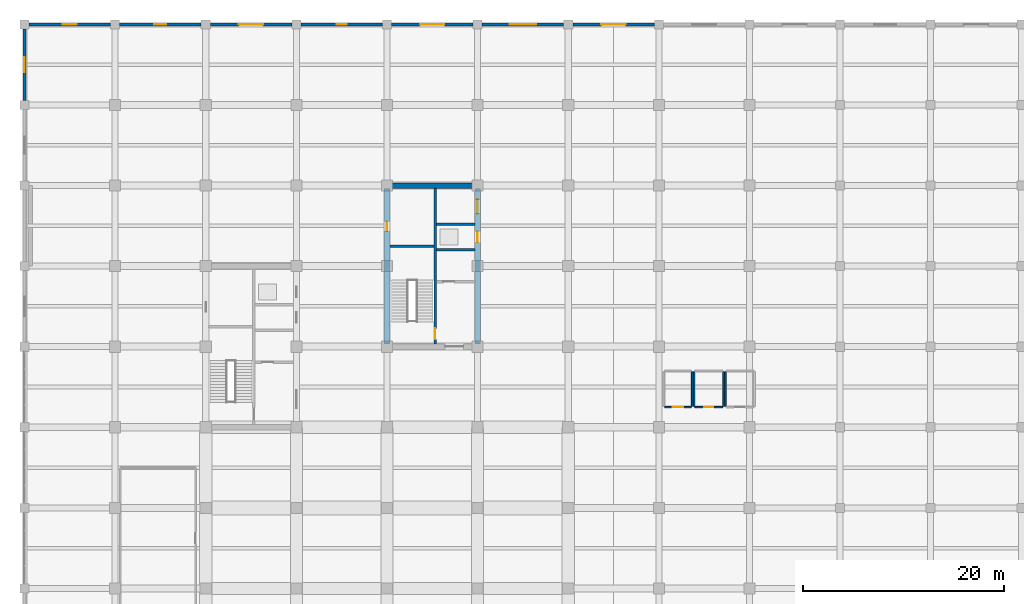
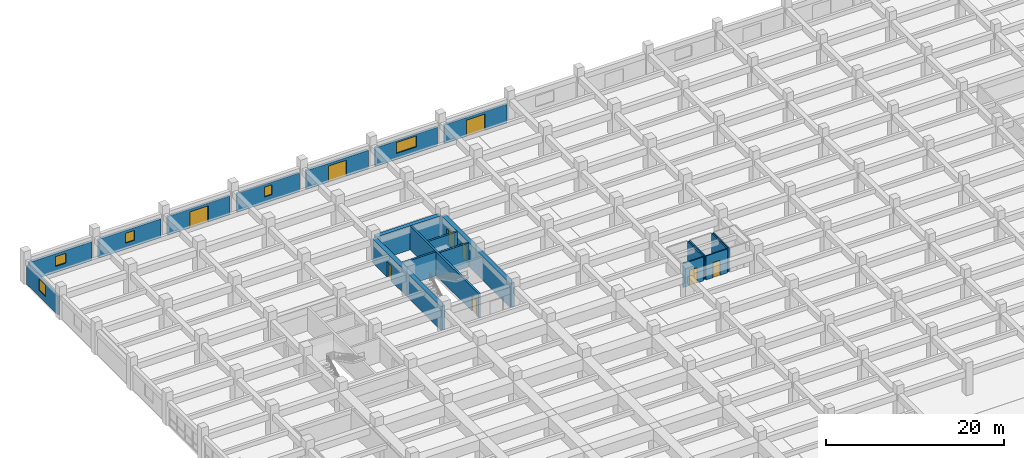
# One storey, part 25 of 40: 21 walls, 9 doors, 5 windows, 14 openings.
"""IFC4 building model written with IfcOpenShell, lengths in metres."""

from ifc_helpers import new_model, si_unit, direction, frame, frame_2d, origin, place, context, subcontext, project, spatial, rectangle, extrude, material, layer, layer_set, type_object, element, fill, save


model = new_model("IFC4")

# Units and contexts
model_context = context("Model", 3, precision=1e-05, world=origin(), true_north=direction((0.0, 1.0)))
body_context = subcontext(model_context, "Body", "Model", "MODEL_VIEW")
ifc_project = project(units=[si_unit("LENGTHUNIT", "METRE"), si_unit("AREAUNIT", "SQUARE_METRE"), si_unit("VOLUMEUNIT", "CUBIC_METRE"), si_unit("PLANEANGLEUNIT", "RADIAN"), si_unit("MASSUNIT", "GRAM", prefix="KILO")], contexts=[model_context])

# Site, building, storey
site_placement = place(None, origin())
site = spatial("IfcSite", under=ifc_project, at=site_placement, CompositionType="ELEMENT")
building_placement = place(site_placement, origin())
building = spatial("IfcBuilding", under=site, at=building_placement, Name="Zaverband Oceanarium and Marine Research Institute", CompositionType="ELEMENT")
storey_placement = place(building_placement, origin())
storey = spatial("IfcBuildingStorey", under=building, at=storey_placement, Name="L00", CompositionType="ELEMENT", Elevation=0.0)

# Wall
ifc_material_1 = material(Name="Concrete C50/60", Category="concrete")
ifc_layer_1 = layer(ifc_material_1, 0.550048828125, Name="Concrete C50/60")
ifc_layer_set_1 = layer_set([ifc_layer_1], Name="Concrete C50/60")
wall_type_1 = type_object("IfcWallType", Name="CW-01", PredefinedType="SHEAR", material=ifc_layer_set_1)
wall_1_placement = place(storey_placement, frame((36.27490234375, 104.0, 0.0), z_axis=(0.0, 0.0, 1.0), x_axis=(1.0, 0.0, 0.0)))
element("IfcWall", 1, at=wall_1_placement, inside=storey, type_object=wall_type_1, Name="Structural shear wall CW-01", PredefinedType="SHEAR", context=body_context, shape_type="SweptSolid", body=[
    extrude(rectangle(XDim=8.4501953125, YDim=0.550048828125, at=frame_2d((4.22509765625, 0.0))), origin(), (0.0, 0.0, 1.0), 3.300048828125),
])

# Wall, opening, door
wall_2_placement = place(storey_placement, frame((36.0, 88.27490234375, 0.0), z_axis=(0.0, 0.0, 1.0), x_axis=(0.0, 1.0, 0.0)))
wall_2 = element("IfcWall", 2, at=wall_2_placement, inside=storey, type_object=wall_type_1, Name="Structural shear wall CW-01", PredefinedType="SHEAR", context=body_context, shape_type="SweptSolid", body=[
    extrude(rectangle(XDim=15.4501953125, YDim=0.550048828125, at=frame_2d((7.72509765625, 0.0))), origin(), (0.0, 0.0, 1.0), 3.300048828125),
])
opening_1_placement = place(wall_2_placement, frame((11.199951171875, 0.0, 0.0)))
opening_1 = element("IfcOpeningElement", 3, at=opening_1_placement, cuts=wall_2, Name="Opening FD-03", PredefinedType="OPENING", context=body_context, shape_type="SweptSolid", body=[
    extrude(rectangle(XDim=0.949951171875, YDim=2.10009765625, at=frame_2d((0.47509765625, 1.050048828125))), frame((0.0, 0.287109375, 0.0), z_axis=(0.0, -1.0, 0.0), x_axis=(1.0, 0.0, 0.0)), (0.0, 0.0, 1.0), 0.573974609375),
])
ifc_material_2 = material(Name="Steel S355", Category="steel")
door_type_1 = type_object("IfcDoorType", Name="FD-03", OperationType="NOTDEFINED", PredefinedType="DOOR", material=ifc_material_2)
door_1_placement = place(opening_1_placement, origin())
door_1 = element("IfcDoor", 4, at=door_1_placement, inside=storey, type_object=door_type_1, Name="Service riser access fire door FD-03", OperationType="SINGLE_SWING_RIGHT", OverallHeight=2.10009765625, OverallWidth=0.949951171875, PredefinedType="DOOR", context=body_context, shape_type="SweptSolid", body=[
    extrude(rectangle(XDim=0.949951171875, YDim=2.10009765625, at=frame_2d((0.47509765625, 1.050048828125))), frame((0.0, 0.02490234375, 0.0), z_axis=(0.0, -1.0, 0.0), x_axis=(1.0, 0.0, 0.0)), (0.0, 0.0, 1.0), 0.050048828125),
])
fill(opening_1, door_1)

# Wall, openings, doors
wall_3_placement = place(storey_placement, frame((45.0, 88.27490234375, 0.0), z_axis=(0.0, 0.0, 1.0), x_axis=(0.0, 1.0, 0.0)))
wall_3 = element("IfcWall", 5, at=wall_3_placement, inside=storey, type_object=wall_type_1, Name="Structural shear wall CW-01", PredefinedType="SHEAR", context=body_context, shape_type="SweptSolid", body=[
    extrude(rectangle(XDim=15.4501953125, YDim=0.550048828125, at=frame_2d((7.72509765625, 0.0))), origin(), (0.0, 0.0, 1.0), 3.300048828125),
])
opening_2_placement = place(wall_3_placement, frame((10.10009765625, 0.0, 0.0)))
opening_2 = element("IfcOpeningElement", 6, at=opening_2_placement, cuts=wall_3, Name="Opening LD-02", PredefinedType="OPENING", context=body_context, shape_type="SweptSolid", body=[
    extrude(rectangle(XDim=1.050048828125, YDim=2.1201171875, at=frame_2d((0.52490234375, 1.06005859375))), frame((0.0, 0.287109375, 0.0), z_axis=(0.0, -1.0, 0.0), x_axis=(1.0, 0.0, 0.0)), (0.0, 0.0, 1.0), 0.573974609375),
])
opening_3_placement = place(wall_3_placement, frame((12.949951171875, 0.0, 0.0)))
opening_3 = element("IfcOpeningElement", 7, at=opening_3_placement, cuts=wall_3, Name="Opening LD-03", PredefinedType="OPENING", context=body_context, shape_type="SweptSolid", body=[
    extrude(rectangle(XDim=1.39990234375, YDim=2.199951171875, at=frame_2d((0.699951171875, 1.10009765625))), frame((0.0, 0.287109375, 0.0), z_axis=(0.0, -1.0, 0.0), x_axis=(1.0, 0.0, 0.0)), (0.0, 0.0, 1.0), 0.573974609375),
])
door_type_2 = type_object("IfcDoorType", Name="LD-02", OperationType="DOUBLE_DOOR_SLIDING", PredefinedType="DOOR", material=ifc_material_2)
door_2_placement = place(opening_2_placement, origin())
door_2 = element("IfcDoor", 8, at=door_2_placement, inside=storey, type_object=door_type_2, Name="Passenger lift sliding landing door LD-02", OperationType="DOUBLE_DOOR_SLIDING", OverallHeight=2.1201171875, OverallWidth=1.050048828125, PredefinedType="DOOR", context=body_context, shape_type="SweptSolid", body=[
    extrude(rectangle(XDim=1.050048828125, YDim=2.1201171875, at=frame_2d((0.52490234375, 1.06005859375))), frame((0.0, 0.02490234375, 0.0), z_axis=(0.0, -1.0, 0.0), x_axis=(1.0, 0.0, 0.0)), (0.0, 0.0, 1.0), 0.050048828125),
])
fill(opening_2, door_2)
door_type_3 = type_object("IfcDoorType", Name="LD-03", OperationType="DOUBLE_DOOR_SLIDING", PredefinedType="DOOR", material=ifc_material_2)
door_3_placement = place(opening_3_placement, origin())
door_3 = element("IfcDoor", 9, at=door_3_placement, inside=storey, type_object=door_type_3, Name="Specimen goods lift sliding landing door LD-03", OperationType="DOUBLE_DOOR_SLIDING", OverallHeight=2.199951171875, OverallWidth=1.39990234375, PredefinedType="DOOR", context=body_context, shape_type="SweptSolid", body=[
    extrude(rectangle(XDim=1.39990234375, YDim=2.199951171875, at=frame_2d((0.699951171875, 1.10009765625))), frame((0.0, 0.02490234375, 0.0), z_axis=(0.0, -1.0, 0.0), x_axis=(1.0, 0.0, 0.0)), (0.0, 0.0, 1.0), 0.050048828125),
])
fill(opening_3, door_3)

# Wall, opening, window
ifc_material_3 = material(Name="Concrete C40/50 precast", Category="concrete")
ifc_layer_2 = layer(ifc_material_3, 0.264892578125, Name="Concrete C40/50 precast")
ifc_layer_set_2 = layer_set([ifc_layer_2], Name="Concrete C40/50 precast")
wall_type_2 = type_object("IfcWallType", Name="EW-265", PredefinedType="STANDARD", material=ifc_layer_set_2)
wall_4_placement = place(storey_placement, frame((27.455078125, 120.0, 0.0), z_axis=(0.0, 0.0, 1.0), x_axis=(1.0, 0.0, 0.0)))
wall_4 = element("IfcWall", 10, at=wall_4_placement, inside=storey, type_object=wall_type_2, Name="Exterior infill wall EW-265", PredefinedType="STANDARD", context=body_context, shape_type="SweptSolid", body=[
    extrude(rectangle(XDim=8.08984375, YDim=0.264892578125, at=frame_2d((4.044921875, 0.0))), origin(), (0.0, 0.0, 1.0), 2.580078125),
])
opening_4_placement = place(wall_4_placement, frame((3.544921875, 0.0, 0.85009765625)))
opening_4 = element("IfcOpeningElement", 11, at=opening_4_placement, cuts=wall_4, Name="Opening WN-1000x1350", PredefinedType="OPENING", context=body_context, shape_type="SweptSolid", body=[
    extrude(rectangle(XDim=1.0, YDim=1.35009765625, at=frame_2d((0.5, 0.675048828125))), frame((0.0, 0.14453125, 0.0), z_axis=(0.0, -1.0, 0.0), x_axis=(1.0, 0.0, 0.0)), (0.0, 0.0, 1.0), 0.288818359375),
])
ifc_material_4 = material(Name="Thermally broken anodized aluminium and solar-control glass", Category="aluminium")
window_type_1 = type_object("IfcWindowType", Name="WN-1000x1350", PartitioningType="SINGLE_PANEL", PredefinedType="WINDOW", material=ifc_material_4)
window_1_placement = place(opening_4_placement, origin())
window_1 = element("IfcWindow", 12, at=window_1_placement, inside=storey, type_object=window_type_1, Name="Fixed / casement exterior window WN-1000x1350", OverallHeight=1.35009765625, OverallWidth=1.0, PartitioningType="SINGLE_PANEL", PredefinedType="WINDOW", context=body_context, shape_type="SweptSolid", body=[
    extrude(rectangle(XDim=1.0, YDim=1.35009765625, at=frame_2d((0.5, 0.675048828125))), frame((0.0, 0.030029296875, 0.0), z_axis=(0.0, -1.0, 0.0), x_axis=(1.0, 0.0, 0.0)), (0.0, 0.0, 1.0), 0.06005859375),
])
fill(opening_4, window_1)

wall_5_placement = place(storey_placement, frame((0.0, 112.455078125, 0.0), z_axis=(0.0, 0.0, 1.0), x_axis=(0.0, 1.0, 0.0)))
wall_5 = element("IfcWall", 13, at=wall_5_placement, inside=storey, type_object=wall_type_2, Name="Exterior infill wall EW-265", PredefinedType="STANDARD", context=body_context, shape_type="SweptSolid", body=[
    extrude(rectangle(XDim=7.08984375, YDim=0.264892578125, at=frame_2d((3.544921875, 0.0))), origin(), (0.0, 0.0, 1.0), 2.580078125),
])
opening_5_placement = place(wall_5_placement, frame((2.794921875, 0.0, 0.85009765625)))
opening_5 = element("IfcOpeningElement", 14, at=opening_5_placement, cuts=wall_5, Name="Opening WN-1500x1610", PredefinedType="OPENING", context=body_context, shape_type="SweptSolid", body=[
    extrude(rectangle(XDim=1.5, YDim=1.610107421875, at=frame_2d((0.75, 0.80517578125))), frame((0.0, 0.14453125, 0.0), z_axis=(0.0, -1.0, 0.0), x_axis=(1.0, 0.0, 0.0)), (0.0, 0.0, 1.0), 0.288818359375),
])
window_type_2 = type_object("IfcWindowType", Name="WN-1500x1610", PartitioningType="SINGLE_PANEL", PredefinedType="WINDOW", material=ifc_material_4)
window_2_placement = place(opening_5_placement, origin())
window_2 = element("IfcWindow", 15, at=window_2_placement, inside=storey, type_object=window_type_2, Name="Fixed / casement exterior window WN-1500x1610", OverallHeight=1.610107421875, OverallWidth=1.5, PartitioningType="SINGLE_PANEL", PredefinedType="WINDOW", context=body_context, shape_type="SweptSolid", body=[
    extrude(rectangle(XDim=1.5, YDim=1.610107421875, at=frame_2d((0.75, 0.80517578125))), frame((0.0, 0.030029296875, 0.0), z_axis=(0.0, -1.0, 0.0), x_axis=(1.0, 0.0, 0.0)), (0.0, 0.0, 1.0), 0.06005859375),
])
fill(opening_5, window_2)

# Wall, opening, door
ifc_layer_3 = layer(ifc_material_3, 0.2900390625, Name="Concrete C40/50 precast")
ifc_layer_set_3 = layer_set([ifc_layer_3], Name="Concrete C40/50 precast")
wall_type_3 = type_object("IfcWallType", Name="EW-290", PredefinedType="STANDARD", material=ifc_layer_set_3)
wall_6_placement = place(storey_placement, frame((18.455078125, 120.0, 0.0), z_axis=(0.0, 0.0, 1.0), x_axis=(1.0, 0.0, 0.0)))
wall_6 = element("IfcWall", 16, at=wall_6_placement, inside=storey, type_object=wall_type_3, Name="Exterior infill wall EW-290", PredefinedType="STANDARD", context=body_context, shape_type="SweptSolid", body=[
    extrude(rectangle(XDim=8.08984375, YDim=0.2900390625, at=frame_2d((4.044921875, 0.0))), origin(), (0.0, 0.0, 1.0), 2.580078125),
])
opening_6_placement = place(wall_6_placement, frame((2.844970703125, 0.0, 0.0)))
opening_6 = element("IfcOpeningElement", 17, at=opening_6_placement, cuts=wall_6, Name="Opening ED-2400x2220", PredefinedType="OPENING", context=body_context, shape_type="SweptSolid", body=[
    extrude(rectangle(XDim=2.39990234375, YDim=2.219970703125, at=frame_2d((1.199951171875, 1.10986328125))), frame((0.0, 0.156982421875, 0.0), z_axis=(0.0, -1.0, 0.0), x_axis=(1.0, 0.0, 0.0)), (0.0, 0.0, 1.0), 0.31396484375),
])
ifc_material_5 = material(Name="Thermally broken anodized aluminium and laminated glass", Category="aluminium")
door_type_4 = type_object("IfcDoorType", Name="ED-2400x2220", OperationType="DOUBLE_DOOR_SINGLE_SWING", PredefinedType="DOOR", material=ifc_material_5)
door_4_placement = place(opening_6_placement, origin())
door_4 = element("IfcDoor", 18, at=door_4_placement, inside=storey, type_object=door_type_4, Name="Pedestrian exit E7", OperationType="DOUBLE_DOOR_SINGLE_SWING", OverallHeight=2.219970703125, OverallWidth=2.39990234375, PredefinedType="DOOR", context=body_context, shape_type="SweptSolid", body=[
    extrude(rectangle(XDim=2.39990234375, YDim=2.219970703125, at=frame_2d((1.199951171875, 1.10986328125))), frame((0.0, 0.02490234375, 0.0), z_axis=(0.0, -1.0, 0.0), x_axis=(1.0, 0.0, 0.0)), (0.0, 0.0, 1.0), 0.050048828125),
])
fill(opening_6, door_4)

wall_7_placement = place(storey_placement, frame((54.455078125, 120.0, 0.0), z_axis=(0.0, 0.0, 1.0), x_axis=(1.0, 0.0, 0.0)))
wall_7 = element("IfcWall", 19, at=wall_7_placement, inside=storey, type_object=wall_type_3, Name="Exterior infill wall EW-290", PredefinedType="STANDARD", context=body_context, shape_type="SweptSolid", body=[
    extrude(rectangle(XDim=8.08984375, YDim=0.2900390625, at=frame_2d((4.044921875, 0.0))), origin(), (0.0, 0.0, 1.0), 2.580078125),
])
opening_7_placement = place(wall_7_placement, frame((2.844970703125, 0.0, 0.0)))
opening_7 = element("IfcOpeningElement", 20, at=opening_7_placement, cuts=wall_7, Name="Opening ED-2400x2220", PredefinedType="OPENING", context=body_context, shape_type="SweptSolid", body=[
    extrude(rectangle(XDim=2.39990234375, YDim=2.219970703125, at=frame_2d((1.199951171875, 1.10986328125))), frame((0.0, 0.156982421875, 0.0), z_axis=(0.0, -1.0, 0.0), x_axis=(1.0, 0.0, 0.0)), (0.0, 0.0, 1.0), 0.31396484375),
])
door_5_placement = place(opening_7_placement, origin())
door_5 = element("IfcDoor", 21, at=door_5_placement, inside=storey, type_object=door_type_4, Name="Pedestrian exit E9", OperationType="DOUBLE_DOOR_SINGLE_SWING", OverallHeight=2.219970703125, OverallWidth=2.39990234375, PredefinedType="DOOR", context=body_context, shape_type="SweptSolid", body=[
    extrude(rectangle(XDim=2.39990234375, YDim=2.219970703125, at=frame_2d((1.199951171875, 1.10986328125))), frame((0.0, 0.02490234375, 0.0), z_axis=(0.0, -1.0, 0.0), x_axis=(1.0, 0.0, 0.0)), (0.0, 0.0, 1.0), 0.050048828125),
])
fill(opening_7, door_5)

# Wall, opening, window
ifc_layer_4 = layer(ifc_material_3, 0.31005859375, Name="Concrete C40/50 precast")
ifc_layer_set_4 = layer_set([ifc_layer_4], Name="Concrete C40/50 precast")
wall_type_4 = type_object("IfcWallType", Name="EW-310", PredefinedType="STANDARD", material=ifc_layer_set_4)
wall_8_placement = place(storey_placement, frame((9.455078125, 120.0, 0.0), z_axis=(0.0, 0.0, 1.0), x_axis=(1.0, 0.0, 0.0)))
wall_8 = element("IfcWall", 22, at=wall_8_placement, inside=storey, type_object=wall_type_4, Name="Exterior infill wall EW-310", PredefinedType="STANDARD", context=body_context, shape_type="SweptSolid", body=[
    extrude(rectangle(XDim=8.08984375, YDim=0.31005859375, at=frame_2d((4.044921875, 0.0))), origin(), (0.0, 0.0, 1.0), 2.580078125),
])
opening_8_placement = place(wall_8_placement, frame((3.445068359375, 0.0, 0.85009765625)))
opening_8 = element("IfcOpeningElement", 23, at=opening_8_placement, cuts=wall_8, Name="Opening WN-1200x1350", PredefinedType="OPENING", context=body_context, shape_type="SweptSolid", body=[
    extrude(rectangle(XDim=1.199951171875, YDim=1.35009765625, at=frame_2d((0.60009765625, 0.675048828125))), frame((0.0, 0.1669921875, 0.0), z_axis=(0.0, -1.0, 0.0), x_axis=(1.0, 0.0, 0.0)), (0.0, 0.0, 1.0), 0.333984375),
])
window_type_3 = type_object("IfcWindowType", Name="WN-1200x1350", PartitioningType="SINGLE_PANEL", PredefinedType="WINDOW", material=ifc_material_4)
window_3_placement = place(opening_8_placement, origin())
window_3 = element("IfcWindow", 24, at=window_3_placement, inside=storey, type_object=window_type_3, Name="Fixed / casement exterior window WN-1200x1350", OverallHeight=1.35009765625, OverallWidth=1.199951171875, PartitioningType="SINGLE_PANEL", PredefinedType="WINDOW", context=body_context, shape_type="SweptSolid", body=[
    extrude(rectangle(XDim=1.199951171875, YDim=1.35009765625, at=frame_2d((0.60009765625, 0.675048828125))), frame((0.0, 0.030029296875, 0.0), z_axis=(0.0, -1.0, 0.0), x_axis=(1.0, 0.0, 0.0)), (0.0, 0.0, 1.0), 0.06005859375),
])
fill(opening_8, window_3)

wall_9_placement = place(storey_placement, frame((45.455078125, 120.0, 0.0), z_axis=(0.0, 0.0, 1.0), x_axis=(1.0, 0.0, 0.0)))
wall_9 = element("IfcWall", 25, at=wall_9_placement, inside=storey, type_object=wall_type_4, Name="Exterior infill wall EW-310", PredefinedType="STANDARD", context=body_context, shape_type="SweptSolid", body=[
    extrude(rectangle(XDim=8.08984375, YDim=0.31005859375, at=frame_2d((4.044921875, 0.0))), origin(), (0.0, 0.0, 1.0), 2.580078125),
])
opening_9_placement = place(wall_9_placement, frame((2.7451171875, 0.0, 0.85009765625)))
opening_9 = element("IfcOpeningElement", 26, at=opening_9_placement, cuts=wall_9, Name="Opening WN-2600x1500", PredefinedType="OPENING", context=body_context, shape_type="SweptSolid", body=[
    extrude(rectangle(XDim=2.60009765625, YDim=1.5, at=frame_2d((1.300048828125, 0.75))), frame((0.0, 0.1669921875, 0.0), z_axis=(0.0, -1.0, 0.0), x_axis=(1.0, 0.0, 0.0)), (0.0, 0.0, 1.0), 0.333984375),
])
window_type_4 = type_object("IfcWindowType", Name="WN-2600x1500", PartitioningType="SINGLE_PANEL", PredefinedType="WINDOW", material=ifc_material_4)
window_4_placement = place(opening_9_placement, origin())
window_4 = element("IfcWindow", 27, at=window_4_placement, inside=storey, type_object=window_type_4, Name="Fixed / casement exterior window WN-2600x1500", OverallHeight=1.5, OverallWidth=2.60009765625, PartitioningType="SINGLE_PANEL", PredefinedType="WINDOW", context=body_context, shape_type="SweptSolid", body=[
    extrude(rectangle(XDim=2.60009765625, YDim=1.5, at=frame_2d((1.300048828125, 0.75))), frame((0.0, 0.030029296875, 0.0), z_axis=(0.0, -1.0, 0.0), x_axis=(1.0, 0.0, 0.0)), (0.0, 0.0, 1.0), 0.06005859375),
])
fill(opening_9, window_4)

ifc_layer_5 = layer(ifc_material_3, 0.340087890625, Name="Concrete C40/50 precast")
ifc_layer_set_5 = layer_set([ifc_layer_5], Name="Concrete C40/50 precast")
wall_type_5 = type_object("IfcWallType", Name="EW-340", PredefinedType="STANDARD", material=ifc_layer_set_5)
wall_10_placement = place(storey_placement, frame((0.455078125, 120.0, 0.0), z_axis=(0.0, 0.0, 1.0), x_axis=(1.0, 0.0, 0.0)))
wall_10 = element("IfcWall", 28, at=wall_10_placement, inside=storey, type_object=wall_type_5, Name="Exterior infill wall EW-340", PredefinedType="STANDARD", context=body_context, shape_type="SweptSolid", body=[
    extrude(rectangle(XDim=8.08984375, YDim=0.340087890625, at=frame_2d((4.044921875, 0.0))), origin(), (0.0, 0.0, 1.0), 2.580078125),
])
opening_10_placement = place(wall_10_placement, frame((3.344970703125, 0.0, 0.85009765625)))
opening_10 = element("IfcOpeningElement", 29, at=opening_10_placement, cuts=wall_10, Name="Opening WN-1400x1350", PredefinedType="OPENING", context=body_context, shape_type="SweptSolid", body=[
    extrude(rectangle(XDim=1.39990234375, YDim=1.35009765625, at=frame_2d((0.699951171875, 0.675048828125))), frame((0.0, 0.18212890625, 0.0), z_axis=(0.0, -1.0, 0.0), x_axis=(1.0, 0.0, 0.0)), (0.0, 0.0, 1.0), 0.364013671875),
])
window_type_5 = type_object("IfcWindowType", Name="WN-1400x1350", PartitioningType="SINGLE_PANEL", PredefinedType="WINDOW", material=ifc_material_4)
window_5_placement = place(opening_10_placement, origin())
window_5 = element("IfcWindow", 30, at=window_5_placement, inside=storey, type_object=window_type_5, Name="Fixed / casement exterior window WN-1400x1350", OverallHeight=1.35009765625, OverallWidth=1.39990234375, PartitioningType="SINGLE_PANEL", PredefinedType="WINDOW", context=body_context, shape_type="SweptSolid", body=[
    extrude(rectangle(XDim=1.39990234375, YDim=1.35009765625, at=frame_2d((0.699951171875, 0.675048828125))), frame((0.0, 0.030029296875, 0.0), z_axis=(0.0, -1.0, 0.0), x_axis=(1.0, 0.0, 0.0)), (0.0, 0.0, 1.0), 0.06005859375),
])
fill(opening_10, window_5)

# Wall, opening, door
wall_11_placement = place(storey_placement, frame((36.455078125, 120.0, 0.0), z_axis=(0.0, 0.0, 1.0), x_axis=(1.0, 0.0, 0.0)))
wall_11 = element("IfcWall", 31, at=wall_11_placement, inside=storey, type_object=wall_type_5, Name="Exterior infill wall EW-340", PredefinedType="STANDARD", context=body_context, shape_type="SweptSolid", body=[
    extrude(rectangle(XDim=8.08984375, YDim=0.340087890625, at=frame_2d((4.044921875, 0.0))), origin(), (0.0, 0.0, 1.0), 2.580078125),
])
opening_11_placement = place(wall_11_placement, frame((2.844970703125, 0.0, 0.0)))
opening_11 = element("IfcOpeningElement", 32, at=opening_11_placement, cuts=wall_11, Name="Opening ED-2400x2220", PredefinedType="OPENING", context=body_context, shape_type="SweptSolid", body=[
    extrude(rectangle(XDim=2.39990234375, YDim=2.219970703125, at=frame_2d((1.199951171875, 1.10986328125))), frame((0.0, 0.18212890625, 0.0), z_axis=(0.0, -1.0, 0.0), x_axis=(1.0, 0.0, 0.0)), (0.0, 0.0, 1.0), 0.364013671875),
])
door_6_placement = place(opening_11_placement, origin())
door_6 = element("IfcDoor", 33, at=door_6_placement, inside=storey, type_object=door_type_4, Name="Pedestrian exit E8", OperationType="DOUBLE_DOOR_SINGLE_SWING", OverallHeight=2.219970703125, OverallWidth=2.39990234375, PredefinedType="DOOR", context=body_context, shape_type="SweptSolid", body=[
    extrude(rectangle(XDim=2.39990234375, YDim=2.219970703125, at=frame_2d((1.199951171875, 1.10986328125))), frame((0.0, 0.02490234375, 0.0), z_axis=(0.0, -1.0, 0.0), x_axis=(1.0, 0.0, 0.0)), (0.0, 0.0, 1.0), 0.050048828125),
])
fill(opening_11, door_6)

ifc_material_6 = material(Name="Ceramic-tiled wet-room blockwork", Category="masonry")
ifc_layer_6 = layer(ifc_material_6, 0.14990234375, Name="Ceramic-tiled wet-room blockwork")
ifc_layer_set_6 = layer_set([ifc_layer_6], Name="Ceramic-tiled wet-room blockwork")
wall_type_6 = type_object("IfcWallType", Name="PT-150-WC", PredefinedType="PARTITIONING", material=ifc_layer_set_6)
wall_12_placement = place(storey_placement, frame((63.574951171875, 82.0, 0.0), z_axis=(0.0, 0.0, 1.0), x_axis=(1.0, 0.0, 0.0)))
wall_12 = element("IfcWall", 34, at=wall_12_placement, inside=storey, type_object=wall_type_6, Name="Internal partition PT-150-WC", PredefinedType="PARTITIONING", context=body_context, shape_type="SweptSolid", body=[
    extrude(rectangle(XDim=2.650146484375, YDim=0.14990234375, at=frame_2d((1.3251953125, 0.0))), origin(), (0.0, 0.0, 1.0), 3.300048828125),
])
opening_12_placement = place(wall_12_placement, frame((0.81494140625, 0.0, 0.0)))
opening_12 = element("IfcOpeningElement", 35, at=opening_12_placement, cuts=wall_12, Name="Opening ID-1020x2100", PredefinedType="OPENING", context=body_context, shape_type="SweptSolid", body=[
    extrude(rectangle(XDim=1.02001953125, YDim=2.10009765625, at=frame_2d((0.510009765625, 1.050048828125))), frame((0.0, 0.0869140625, 0.0), z_axis=(0.0, -1.0, 0.0), x_axis=(1.0, 0.0, 0.0)), (0.0, 0.0, 1.0), 0.173828125),
])
ifc_material_7 = material(Name="Hardwood-veneered acoustic timber", Category="wood")
door_type_5 = type_object("IfcDoorType", Name="ID-1020x2100", OperationType="NOTDEFINED", PredefinedType="DOOR", material=ifc_material_7)
door_7_placement = place(opening_12_placement, frame((1.02001953125, 0.0, 0.0), z_axis=(0.0, 0.0, 1.0), x_axis=(-1.0, 0.0, 0.0)))
door_7 = element("IfcDoor", 36, at=door_7_placement, inside=storey, type_object=door_type_5, Name="Accessible WC outward-swing door ID-1020x2100", OperationType="SINGLE_SWING_LEFT", OverallHeight=2.10009765625, OverallWidth=1.02001953125, PredefinedType="DOOR", context=body_context, shape_type="SweptSolid", body=[
    extrude(rectangle(XDim=1.02001953125, YDim=2.10009765625, at=frame_2d((0.510009765625, 1.050048828125))), frame((0.0, 0.02490234375, 0.0), z_axis=(0.0, -1.0, 0.0), x_axis=(1.0, 0.0, 0.0)), (0.0, 0.0, 1.0), 0.050048828125),
])
fill(opening_12, door_7)

# Wall
wall_13_placement = place(storey_placement, frame((66.300048828125, 82.074951171875, 0.0), z_axis=(0.0, 0.0, 1.0), x_axis=(0.0, 1.0, 0.0)))
element("IfcWall", 37, at=wall_13_placement, inside=storey, type_object=wall_type_6, Name="Internal partition PT-150-WC", PredefinedType="PARTITIONING", context=body_context, shape_type="SweptSolid", body=[
    extrude(rectangle(XDim=3.449951171875, YDim=0.14990234375, at=frame_2d((1.72509765625, 0.0))), origin(), (0.0, 0.0, 1.0), 3.300048828125),
])

# Wall, opening, door
wall_14_placement = place(storey_placement, frame((66.574951171875, 82.0, 0.0), z_axis=(0.0, 0.0, 1.0), x_axis=(1.0, 0.0, 0.0)))
wall_14 = element("IfcWall", 38, at=wall_14_placement, inside=storey, type_object=wall_type_6, Name="Internal partition PT-150-WC", PredefinedType="PARTITIONING", context=body_context, shape_type="SweptSolid", body=[
    extrude(rectangle(XDim=2.75, YDim=0.14990234375, at=frame_2d((1.375, 0.0))), origin(), (0.0, 0.0, 1.0), 3.300048828125),
])
opening_13_placement = place(wall_14_placement, frame((0.919921875, 0.0, 0.0)))
opening_13 = element("IfcOpeningElement", 39, at=opening_13_placement, cuts=wall_14, Name="Opening ID-910x2080", PredefinedType="OPENING", context=body_context, shape_type="SweptSolid", body=[
    extrude(rectangle(XDim=0.909912109375, YDim=2.080078125, at=frame_2d((0.455078125, 1.0400390625))), frame((0.0, 0.0869140625, 0.0), z_axis=(0.0, -1.0, 0.0), x_axis=(1.0, 0.0, 0.0)), (0.0, 0.0, 1.0), 0.173828125),
])
door_type_6 = type_object("IfcDoorType", Name="ID-910x2080", OperationType="NOTDEFINED", PredefinedType="DOOR", material=ifc_material_7)
door_8_placement = place(opening_13_placement, origin())
door_8 = element("IfcDoor", 40, at=door_8_placement, inside=storey, type_object=door_type_6, Name="Sanitary washroom entrance door ID-910x2080", OperationType="SINGLE_SWING_RIGHT", OverallHeight=2.080078125, OverallWidth=0.909912109375, PredefinedType="DOOR", context=body_context, shape_type="SweptSolid", body=[
    extrude(rectangle(XDim=0.909912109375, YDim=2.080078125, at=frame_2d((0.455078125, 1.0400390625))), frame((0.0, 0.02490234375, 0.0), z_axis=(0.0, -1.0, 0.0), x_axis=(1.0, 0.0, 0.0)), (0.0, 0.0, 1.0), 0.050048828125),
])
fill(opening_13, door_8)

# Walls
for number, where, z_axis, x_axis, name in (
    (41, (66.5, 82.074951171875, 0.0), (0.0, 0.0, 1.0), (0.0, 1.0, 0.0), "Internal partition PT-150-WC"),
    (42, (69.39990234375, 82.074951171875, 0.0), (0.0, 0.0, 1.0), (0.0, 1.0, 0.0), "Internal partition PT-150-WC"),
    (43, (69.60009765625, 82.074951171875, 0.0), (0.0, 0.0, 1.0), (0.0, 1.0, 0.0), "Internal partition PT-150-WC"),
):
    element("IfcWall", number, at=place(storey_placement, frame(where, z_axis=z_axis, x_axis=x_axis)), inside=storey, type_object=wall_type_6, Name=name, PredefinedType="PARTITIONING", context=body_context, shape_type="SweptSolid", body=[
        extrude(rectangle(XDim=3.449951171875, YDim=0.14990234375, at=frame_2d((1.72509765625, 0.0))), origin(), (0.0, 0.0, 1.0), 3.300048828125),
    ])

# Wall, opening, door
ifc_layer_7 = layer(ifc_material_1, 0.25, Name="Concrete C50/60")
ifc_layer_set_7 = layer_set([ifc_layer_7], Name="Concrete C50/60")
wall_type_7 = type_object("IfcWallType", Name="PW-CORE-250", PredefinedType="SOLIDWALL", material=ifc_layer_set_7)
wall_15_placement = place(storey_placement, frame((40.77490234375, 88.27490234375, 0.0), z_axis=(0.0, 0.0, 1.0), x_axis=(0.0, 1.0, 0.0)))
wall_15 = element("IfcWall", 44, at=wall_15_placement, inside=storey, type_object=wall_type_7, Name="Structural concrete wall PW-CORE-250", PredefinedType="SOLIDWALL", context=body_context, shape_type="SweptSolid", body=[
    extrude(rectangle(XDim=15.4501953125, YDim=0.25, at=frame_2d((7.72509765625, 0.0))), origin(), (0.0, 0.0, 1.0), 3.300048828125),
])
opening_14_placement = place(wall_15_placement, frame((0.449951171875, 0.0, 0.0)))
opening_14 = element("IfcOpeningElement", 45, at=opening_14_placement, cuts=wall_15, Name="Opening FD-01", PredefinedType="OPENING", context=body_context, shape_type="SweptSolid", body=[
    extrude(rectangle(XDim=1.10009765625, YDim=2.14990234375, at=frame_2d((0.550048828125, 1.074951171875))), frame((0.0, 0.136962890625, 0.0), z_axis=(0.0, -1.0, 0.0), x_axis=(1.0, 0.0, 0.0)), (0.0, 0.0, 1.0), 0.27392578125),
])
door_type_7 = type_object("IfcDoorType", Name="FD-01", OperationType="NOTDEFINED", PredefinedType="DOOR", material=ifc_material_2)
door_9_placement = place(opening_14_placement, frame((1.10009765625, 0.0, 0.0), z_axis=(0.0, 0.0, 1.0), x_axis=(-1.0, 0.0, 0.0)))
door_9 = element("IfcDoor", 46, at=door_9_placement, inside=storey, type_object=door_type_7, Name="Core stair / lobby fire door FD-01", OperationType="SINGLE_SWING_LEFT", OverallHeight=2.14990234375, OverallWidth=1.10009765625, PredefinedType="DOOR", context=body_context, shape_type="SweptSolid", body=[
    extrude(rectangle(XDim=1.10009765625, YDim=2.14990234375, at=frame_2d((0.550048828125, 1.074951171875))), frame((0.0, 0.02490234375, 0.0), z_axis=(0.0, -1.0, 0.0), x_axis=(1.0, 0.0, 0.0)), (0.0, 0.0, 1.0), 0.050048828125),
])
fill(opening_14, door_9)

# Walls
wall_16_placement = place(storey_placement, frame((36.27490234375, 97.97509765625, 0.0), z_axis=(0.0, 0.0, 1.0), x_axis=(1.0, 0.0, 0.0)))
element("IfcWall", 47, at=wall_16_placement, inside=storey, type_object=wall_type_7, Name="Structural concrete wall PW-CORE-250", PredefinedType="SOLIDWALL", context=body_context, shape_type="SweptSolid", body=[
    extrude(rectangle(XDim=4.3701171875, YDim=0.25, at=frame_2d((2.18505859375, 0.0))), origin(), (0.0, 0.0, 1.0), 3.300048828125),
])
for number, where, z_axis, x_axis, name in (
    (48, (40.905029296875, 97.6298828125, 0.0), (0.0, 0.0, 1.0), (1.0, 0.0, 0.0), "Structural concrete wall PW-CORE-250"),
    (49, (40.905029296875, 100.179931640625, 0.0), (0.0, 0.0, 1.0), (1.0, 0.0, 0.0), "Structural concrete wall PW-CORE-250"),
):
    element("IfcWall", number, at=place(storey_placement, frame(where, z_axis=z_axis, x_axis=x_axis)), inside=storey, type_object=wall_type_7, Name=name, PredefinedType="SOLIDWALL", context=body_context, shape_type="SweptSolid", body=[
        extrude(rectangle(XDim=3.820068359375, YDim=0.25, at=frame_2d((1.91015625, 0.0))), origin(), (0.0, 0.0, 1.0), 3.300048828125),
    ])

save(model, "model.ifc")
